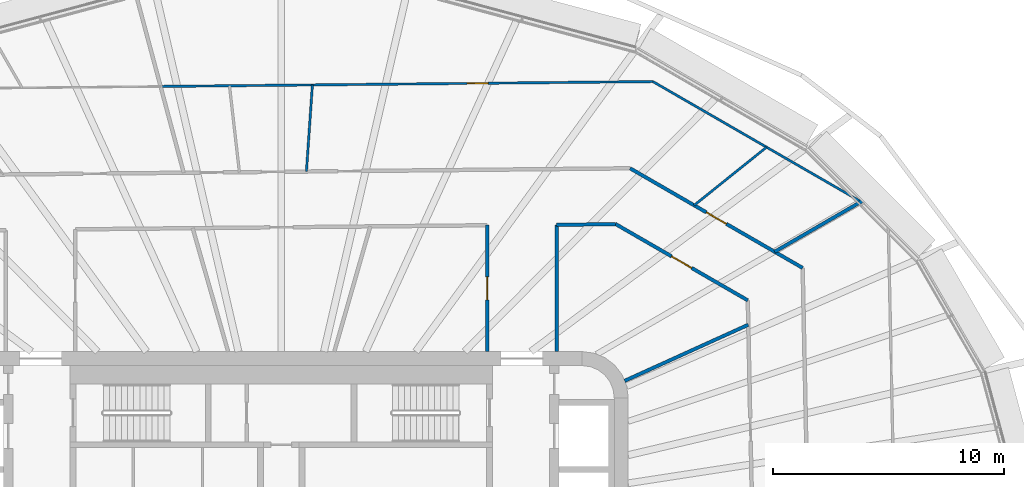
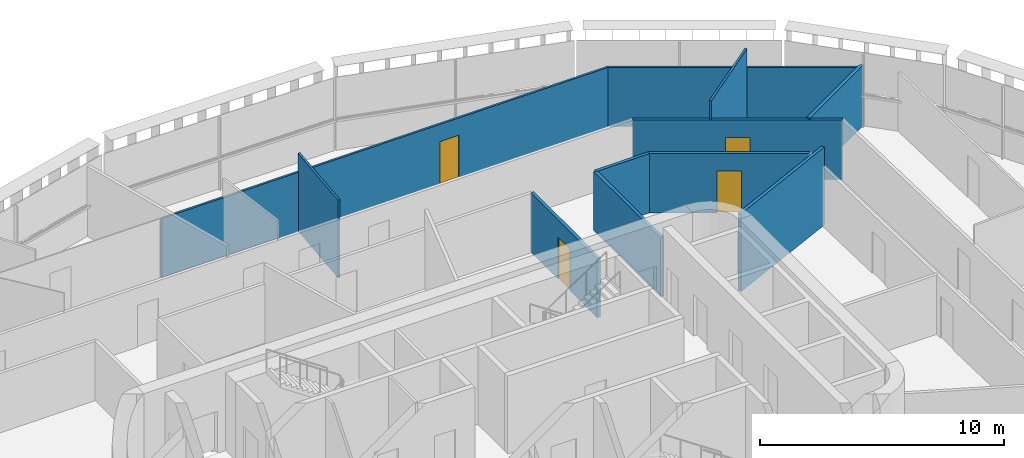
# One storey, part 18 of 26: 11 walls, 4 doors, 4 openings.
"""IFC4 building model written with IfcOpenShell, lengths in metres."""

from ifc_helpers import new_model, si_unit, direction, frame, frame_2d, origin, place, context, subcontext, project, spatial, rectangle, extrude, material, layer, layer_set, type_object, element, fill, save


model = new_model("IFC4")

# Units and contexts
model_context = context("Model", 3, precision=1e-05, world=origin(), true_north=direction((0.0, 1.0)))
body_context = subcontext(model_context, "Body", "Model", "MODEL_VIEW")
ifc_project = project(units=[si_unit("LENGTHUNIT", "METRE"), si_unit("AREAUNIT", "SQUARE_METRE"), si_unit("VOLUMEUNIT", "CUBIC_METRE"), si_unit("PLANEANGLEUNIT", "RADIAN"), si_unit("MASSUNIT", "GRAM", prefix="KILO")], contexts=[model_context])

# Site, building, storey
site_placement = place(None, origin())
site = spatial("IfcSite", under=ifc_project, at=site_placement, CompositionType="ELEMENT")
building_placement = place(site_placement, origin())
building = spatial("IfcBuilding", under=site, at=building_placement, Name="Sahrelin Media Tower", CompositionType="ELEMENT")
storey_placement = place(building_placement, frame((0.0, 0.0, 92.39990234375)))
storey = spatial("IfcBuildingStorey", under=building, at=storey_placement, Name="L17", CompositionType="ELEMENT", Elevation=92.39990234375)

# Wall, opening, door
ifc_material_1 = material(Name="Fire-rated gypsum board partition")
ifc_layer_1 = layer(ifc_material_1, 0.14990234375)
ifc_layer_set_1 = layer_set([ifc_layer_1], Name="Fire-rated partition 150")
wall_type_1 = type_object("IfcWallType", Name="Fire-rated partition 150", PredefinedType="PARTITIONING", material=ifc_layer_set_1)
wall_1_placement = place(storey_placement, frame((14.447998046875, 13.514892578125, 0.0), z_axis=(0.0, 0.0, 1.0), x_axis=(0.866032288321, -0.499988075443, 0.0)))
wall_1 = element("IfcWall", 1, at=wall_1_placement, inside=storey, type_object=wall_type_1, Name="Wall", PredefinedType="PARTITIONING", context=body_context, shape_type="SweptSolid", body=[
    extrude(rectangle(XDim=6.603759765625, YDim=0.14990234375, at=frame_2d((3.3017578125, 0.0))), origin(), (0.0, 0.0, 1.0), 2.96826171875),
])
opening_1_placement = place(wall_1_placement, frame((2.8017578125, 0.0, 0.0)))
opening_1 = element("IfcOpeningElement", 2, at=opening_1_placement, cuts=wall_1, Name="Opening L17-D27", PredefinedType="OPENING", context=body_context, shape_type="SweptSolid", body=[
    extrude(rectangle(XDim=1.0, YDim=2.10009765625, at=frame_2d((0.5, 1.050048828125))), frame((0.0, 0.074951171875, 0.0), z_axis=(0.0, -1.0, 0.0), x_axis=(1.0, 0.0, 0.0)), (0.0, 0.0, 1.0), 0.14990234375),
])
ifc_material_2 = material(Name="Steel fire door leaf", Category="steel")
door_type_1 = type_object("IfcDoorType", Name="Fire door 1000 x 2100 EI 60", OperationType="NOTDEFINED", PredefinedType="DOOR", material=ifc_material_2)
door_1_placement = place(opening_1_placement, origin())
door_1 = element("IfcDoor", 3, at=door_1_placement, inside=storey, type_object=door_type_1, Name="Fire door", OperationType="SINGLE_SWING_RIGHT", OverallHeight=2.10009765625, OverallWidth=1.0, PredefinedType="DOOR", context=body_context, shape_type="SweptSolid", body=[
    extrude(rectangle(XDim=1.0, YDim=2.10009765625, at=frame_2d((0.5, 1.050048828125))), frame((0.0, 0.02490234375, 0.0), z_axis=(0.0, -1.0, 0.0), x_axis=(1.0, 0.0, 0.0)), (0.0, 0.0, 1.0), 0.050048828125),
])
fill(opening_1, door_1)

wall_2_placement = place(storey_placement, frame((15.080078125, 15.9208984375, 0.0), z_axis=(0.0, 0.0, 1.0), x_axis=(0.866020838546, -0.500007907142, 0.0)))
wall_2 = element("IfcWall", 4, at=wall_2_placement, inside=storey, type_object=wall_type_1, Name="Wall", PredefinedType="PARTITIONING", context=body_context, shape_type="SweptSolid", body=[
    extrude(rectangle(XDim=8.612548828125, YDim=0.14990234375, at=frame_2d((4.30615234375, 0.0))), origin(), (0.0, 0.0, 1.0), 2.96826171875),
])
opening_2_placement = place(wall_2_placement, frame((3.807373046875, 0.0, 0.0)))
opening_2 = element("IfcOpeningElement", 5, at=opening_2_placement, cuts=wall_2, Name="Opening L17-D41", PredefinedType="OPENING", context=body_context, shape_type="SweptSolid", body=[
    extrude(rectangle(XDim=1.0, YDim=2.10009765625, at=frame_2d((0.5, 1.050048828125))), frame((0.0, 0.074951171875, 0.0), z_axis=(0.0, -1.0, 0.0), x_axis=(1.0, 0.0, 0.0)), (0.0, 0.0, 1.0), 0.14990234375),
])
door_2_placement = place(opening_2_placement, origin())
door_2 = element("IfcDoor", 6, at=door_2_placement, inside=storey, type_object=door_type_1, Name="Fire door", OperationType="SINGLE_SWING_LEFT", OverallHeight=2.10009765625, OverallWidth=1.0, PredefinedType="DOOR", context=body_context, shape_type="SweptSolid", body=[
    extrude(rectangle(XDim=1.0, YDim=2.10009765625, at=frame_2d((0.5, 1.050048828125))), frame((0.0, 0.02490234375, 0.0), z_axis=(0.0, -1.0, 0.0), x_axis=(1.0, 0.0, 0.0)), (0.0, 0.0, 1.0), 0.050048828125),
])
fill(opening_2, door_2)

# Walls
wall_3_placement = place(storey_placement, frame((11.89990234375, 13.47998046875, 0.0), z_axis=(0.0, 0.0, 1.0), x_axis=(0.999950357576, 0.009964054536, 0.0)))
element("IfcWall", 7, at=wall_3_placement, inside=storey, type_object=wall_type_1, Name="Wall", PredefinedType="PARTITIONING", context=body_context, shape_type="SweptSolid", body=[
    extrude(rectangle(XDim=2.54833984375, YDim=0.14990234375, at=frame_2d((1.274169921875, 0.0))), origin(), (0.0, 0.0, 1.0), 2.96826171875),
])
wall_4_placement = place(storey_placement, frame((14.843017578125, 6.73291015625, 0.0), z_axis=(0.0, 0.0, 1.0), x_axis=(0.910628361306, 0.413226315214, 0.0)))
element("IfcWall", 8, at=wall_4_placement, inside=storey, type_object=wall_type_1, Name="Wall", PredefinedType="PARTITIONING", context=body_context, shape_type="SweptSolid", body=[
    extrude(rectangle(XDim=5.870361328125, YDim=0.14990234375, at=frame_2d((2.93505859375, 0.0))), origin(), (0.0, 0.0, 1.0), 3.900146484375),
])
wall_5_placement = place(storey_placement, frame((21.3291015625, 12.31396484375, 0.0), z_axis=(0.0, 0.0, 1.0), x_axis=(0.865416132284, 0.501053807472, 0.0)))
element("IfcWall", 9, at=wall_5_placement, inside=storey, type_object=wall_type_1, Name="Wall", PredefinedType="PARTITIONING", context=body_context, shape_type="SweptSolid", body=[
    extrude(rectangle(XDim=4.39013671875, YDim=0.14990234375, at=frame_2d((2.195068359375, 0.0))), origin(), (0.0, 0.0, 1.0), 3.045166015625),
])
wall_6_placement = place(storey_placement, frame((11.89990234375, 8.0, 0.0), z_axis=(0.0, 0.0, 1.0), x_axis=(0.0, 1.0, 0.0)))
element("IfcWall", 10, at=wall_6_placement, inside=storey, type_object=wall_type_1, Name="Wall", PredefinedType="PARTITIONING", context=body_context, shape_type="SweptSolid", body=[
    extrude(rectangle(XDim=5.47900390625, YDim=0.14990234375, at=frame_2d((2.739501953125, 0.0))), origin(), (0.0, 0.0, 1.0), 2.96826171875),
])

# Wall, opening, door
wall_7_placement = place(storey_placement, frame((8.89990234375, 8.0, 0.0), z_axis=(0.0, 0.0, 1.0), x_axis=(0.0, 1.0, 0.0)))
wall_7 = element("IfcWall", 11, at=wall_7_placement, inside=storey, type_object=wall_type_1, Name="Wall", PredefinedType="PARTITIONING", context=body_context, shape_type="SweptSolid", body=[
    extrude(rectangle(XDim=5.4599609375, YDim=0.14990234375, at=frame_2d((2.72998046875, 0.0))), origin(), (0.0, 0.0, 1.0), 2.96826171875),
])
opening_3_placement = place(wall_7_placement, frame((2.22998046875, 0.0, 0.0)))
opening_3 = element("IfcOpeningElement", 12, at=opening_3_placement, cuts=wall_7, Name="Opening L17-D28", PredefinedType="OPENING", context=body_context, shape_type="SweptSolid", body=[
    extrude(rectangle(XDim=1.0, YDim=2.10009765625, at=frame_2d((0.5, 1.050048828125))), frame((0.0, 0.074951171875, 0.0), z_axis=(0.0, -1.0, 0.0), x_axis=(1.0, 0.0, 0.0)), (0.0, 0.0, 1.0), 0.14990234375),
])
door_3_placement = place(opening_3_placement, origin())
door_3 = element("IfcDoor", 13, at=door_3_placement, inside=storey, type_object=door_type_1, Name="Fire door", OperationType="SINGLE_SWING_LEFT", OverallHeight=2.10009765625, OverallWidth=1.0, PredefinedType="DOOR", context=body_context, shape_type="SweptSolid", body=[
    extrude(rectangle(XDim=1.0, YDim=2.10009765625, at=frame_2d((0.5, 1.050048828125))), frame((0.0, 0.02490234375, 0.0), z_axis=(0.0, -1.0, 0.0), x_axis=(1.0, 0.0, 0.0)), (0.0, 0.0, 1.0), 0.050048828125),
])
fill(opening_3, door_3)

# Wall
ifc_material_3 = material(Name="Gypsum board partition")
ifc_layer_2 = layer(ifc_material_3, 0.10009765625)
ifc_layer_set_2 = layer_set([ifc_layer_2], Name="Partition 100")
wall_type_2 = type_object("IfcWallType", Name="Partition 100", PredefinedType="PARTITIONING", material=ifc_layer_set_2)
wall_8_placement = place(storey_placement, frame((16.06494140625, 19.6708984375, 0.0), z_axis=(0.0, 0.0, 1.0), x_axis=(0.866058502288, -0.499942667328, 0.0)))
element("IfcWall", 14, at=wall_8_placement, inside=storey, type_object=wall_type_2, Name="Wall", PredefinedType="PARTITIONING", context=body_context, shape_type="SweptSolid", body=[
    extrude(rectangle(XDim=10.396728515625, YDim=0.10009765625, at=frame_2d((5.1982421875, 0.0))), origin(), (0.0, 0.0, 1.0), 2.96826171875),
])

# Wall, opening, door
wall_9_placement = place(storey_placement, frame((-5.215087890625, 19.4599609375, 0.0), z_axis=(0.0, 0.0, 1.0), x_axis=(0.999950988801, 0.00990050484, 0.0)))
wall_9 = element("IfcWall", 15, at=wall_9_placement, inside=storey, type_object=wall_type_2, Name="Wall", PredefinedType="PARTITIONING", context=body_context, shape_type="SweptSolid", body=[
    extrude(rectangle(XDim=21.281005859375, YDim=0.10009765625, at=frame_2d((10.640625, 0.0))), origin(), (0.0, 0.0, 1.0), 2.96826171875),
])
opening_4_placement = place(wall_9_placement, frame((13.2548828125, 0.0, 0.0)))
opening_4 = element("IfcOpeningElement", 16, at=opening_4_placement, cuts=wall_9, Name="Opening L17-D45", PredefinedType="OPENING", context=body_context, shape_type="SweptSolid", body=[
    extrude(rectangle(XDim=0.89990234375, YDim=2.10009765625, at=frame_2d((0.449951171875, 1.050048828125))), frame((0.0, 0.050048828125, 0.0), z_axis=(0.0, -1.0, 0.0), x_axis=(1.0, 0.0, 0.0)), (0.0, 0.0, 1.0), 0.10009765625),
])
ifc_material_4 = material(Name="Timber door leaf", Category="wood")
door_type_2 = type_object("IfcDoorType", Name="Single door 900 x 2100", OperationType="NOTDEFINED", PredefinedType="DOOR", material=ifc_material_4)
door_4_placement = place(opening_4_placement, origin())
door_4 = element("IfcDoor", 17, at=door_4_placement, inside=storey, type_object=door_type_2, Name="Single door", OperationType="SINGLE_SWING_RIGHT", OverallHeight=2.10009765625, OverallWidth=0.89990234375, PredefinedType="DOOR", context=body_context, shape_type="SweptSolid", body=[
    extrude(rectangle(XDim=0.89990234375, YDim=2.10009765625, at=frame_2d((0.449951171875, 1.050048828125))), frame((0.0, 0.02490234375, 0.0), z_axis=(0.0, -1.0, 0.0), x_axis=(1.0, 0.0, 0.0)), (0.0, 0.0, 1.0), 0.050048828125),
])
fill(opening_4, door_4)

# Walls
wall_10_placement = place(storey_placement, frame((17.84912109375, 14.322998046875, 0.0), z_axis=(0.0, 0.0, 1.0), x_axis=(0.7800073623, 0.625770337071, 0.0)))
element("IfcWall", 18, at=wall_10_placement, inside=storey, type_object=wall_type_2, Name="Wall", PredefinedType="PARTITIONING", context=body_context, shape_type="SweptSolid", body=[
    extrude(rectangle(XDim=4.0126953125, YDim=0.10009765625, at=frame_2d((2.00634765625, 0.0))), origin(), (0.0, 0.0, 1.0), 3.900146484375),
])
wall_11_placement = place(storey_placement, frame((1.089111328125, 15.782958984375, 0.0), z_axis=(0.0, 0.0, 1.0), x_axis=(0.068735075686, 0.99763494795, 0.0)))
element("IfcWall", 19, at=wall_11_placement, inside=storey, type_object=wall_type_2, Name="Wall", PredefinedType="PARTITIONING", context=body_context, shape_type="SweptSolid", body=[
    extrude(rectangle(XDim=3.750732421875, YDim=0.10009765625, at=frame_2d((1.87548828125, 0.0))), origin(), (0.0, 0.0, 1.0), 3.900146484375),
])

save(model, "model.ifc")
